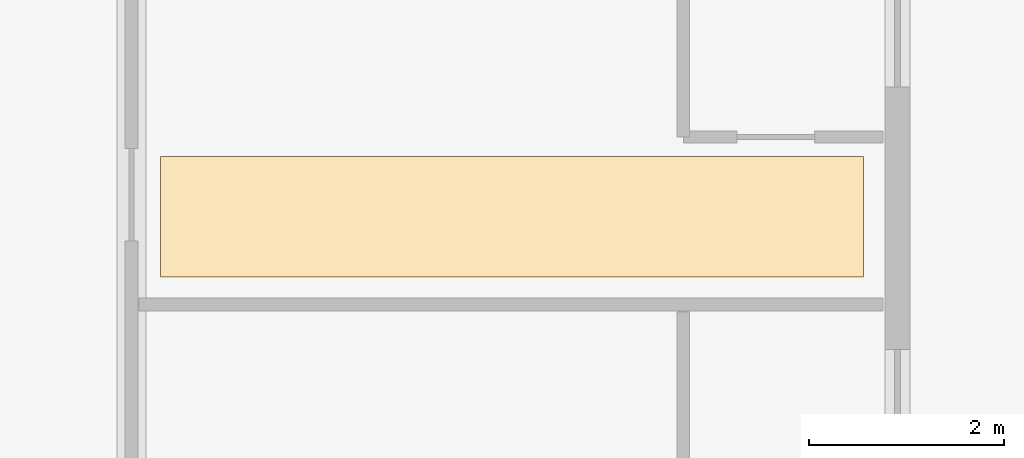
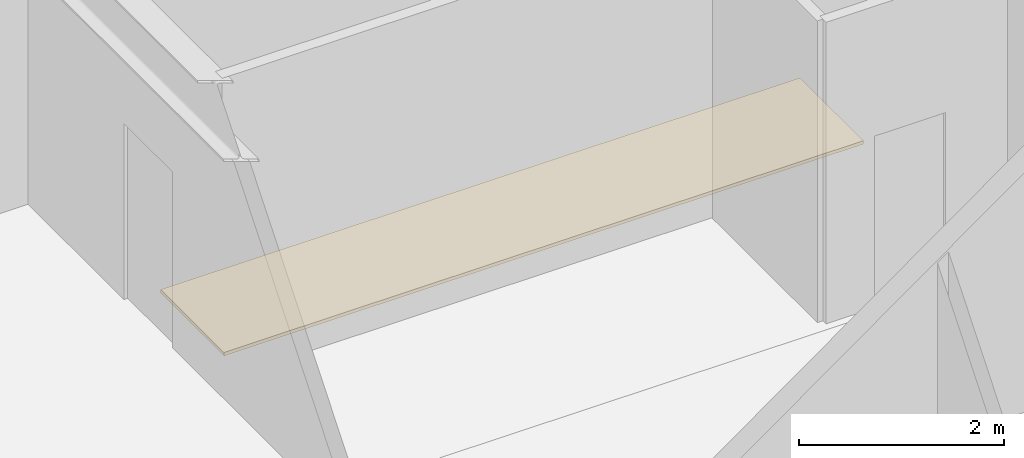
# One storey, part 12 of 13: 1 covering.
"""IFC4 building model written with IfcOpenShell, lengths in metres."""

from ifc_helpers import new_model, si_unit, direction, frame, origin, place, context, subcontext, project, spatial, polyline, outline, extrude, material, layer, layer_set, type_object, element, save


model = new_model("IFC4")

# Units and contexts
model_context = context("Model", 3, precision=1e-05, world=origin(), true_north=direction((0.0, 1.0)))
body_context = subcontext(model_context, "Body", "Model", "MODEL_VIEW")
ifc_project = project(units=[si_unit("LENGTHUNIT", "METRE"), si_unit("AREAUNIT", "SQUARE_METRE"), si_unit("VOLUMEUNIT", "CUBIC_METRE"), si_unit("PLANEANGLEUNIT", "RADIAN"), si_unit("MASSUNIT", "GRAM", prefix="KILO")], contexts=[model_context])

# Site, building, storey
site_placement = place(None, origin())
site = spatial("IfcSite", under=ifc_project, at=site_placement, CompositionType="ELEMENT")
building_placement = place(site_placement, origin())
building = spatial("IfcBuilding", under=site, at=building_placement, Name="Kundavana Baori Tower", CompositionType="ELEMENT")
storey_placement = place(building_placement, frame((0.0, 0.0, 184.85009765625)))
storey = spatial("IfcBuildingStorey", under=building, at=storey_placement, Name="L45", CompositionType="ELEMENT", Elevation=184.85009765625)

# Covering
ifc_material = material(Name="Honed Kota Stone and Terrazzo Flooring", Category="masonry")
ifc_layer = layer(ifc_material, 0.0400390625, Name="COV-FLR-TERR-40")
ifc_layer_set = layer_set([ifc_layer], Name="Honed Kota Stone and Terrazzo Flooring")
covering_type = type_object("IfcCoveringType", Name="COV-FLR-TERR-40", PredefinedType="FLOORING", material=ifc_layer_set)
covering_placement = place(storey_placement, origin())
element("IfcCovering", 1, at=covering_placement, inside=storey, type_object=covering_type, Name="L45 Room Finished Stone Flooring 9", PredefinedType="FLOORING", context=body_context, shape_type="SweptSolid", body=[
    extrude(outline(polyline([(43.10009765625, 38.280029296875), (50.320068359375, 38.280029296875), (50.320068359375, 39.52001953125), (43.10009765625, 39.52001953125), (43.10009765625, 38.280029296875)])), origin(), (0.0, 0.0, 1.0), 0.039794921875),
])

save(model, "model.ifc")
